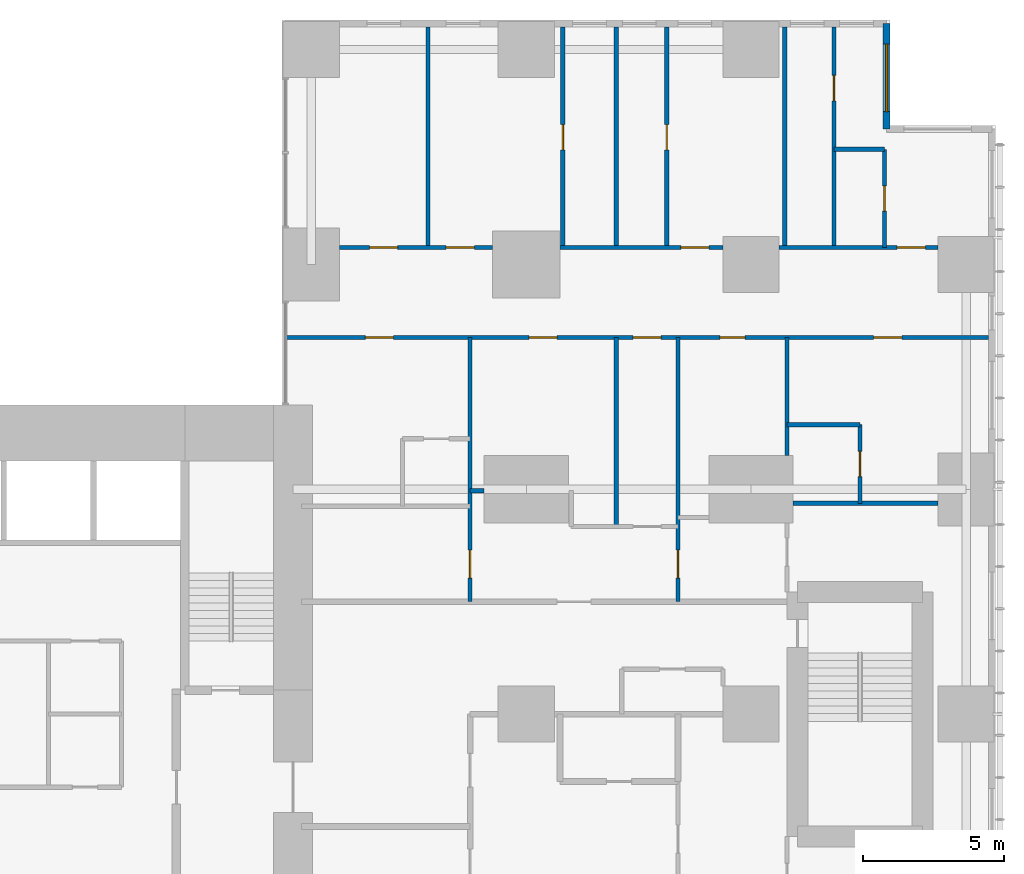
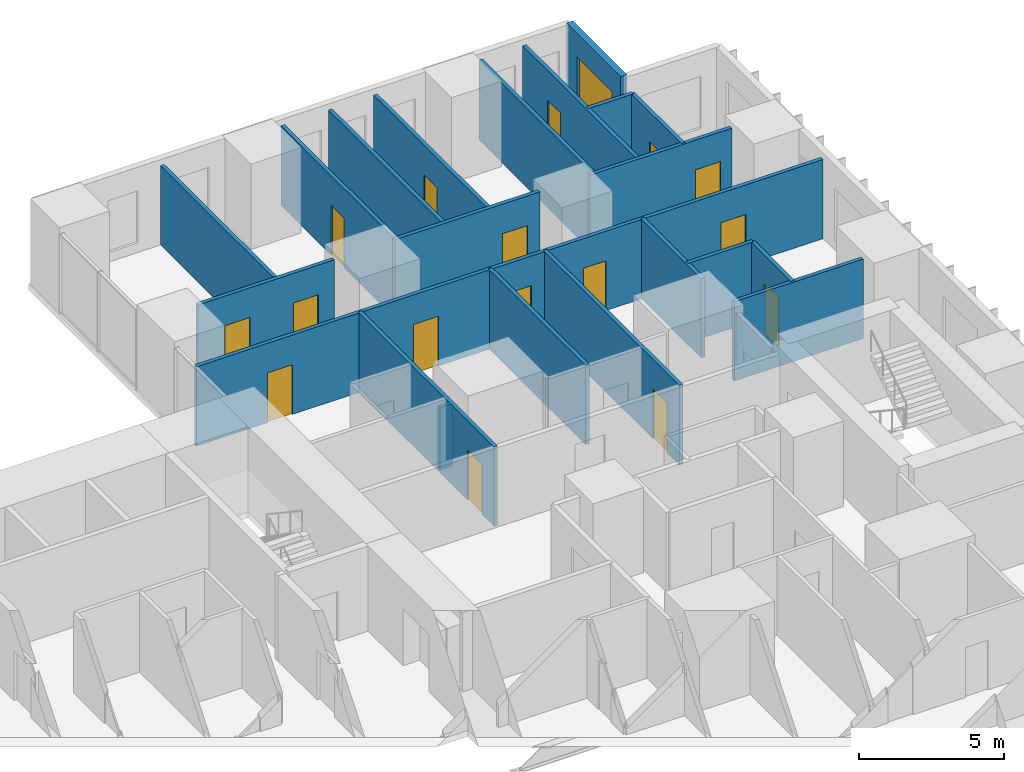
# One storey, part 18 of 21: 21 walls, 16 doors, 1 window, 17 openings.
"""IFC4 building model written with IfcOpenShell, lengths in metres."""

from ifc_helpers import new_model, si_unit, direction, frame, frame_2d, origin, place, context, subcontext, project, spatial, rectangle, extrude, material, layer, layer_set, type_object, element, fill, save


model = new_model("IFC4")

# Units and contexts
model_context = context("Model", 3, precision=1e-05, world=origin(), true_north=direction((0.0, 1.0)))
body_context = subcontext(model_context, "Body", "Model", "MODEL_VIEW")
ifc_project = project(units=[si_unit("LENGTHUNIT", "METRE"), si_unit("AREAUNIT", "SQUARE_METRE"), si_unit("VOLUMEUNIT", "CUBIC_METRE"), si_unit("PLANEANGLEUNIT", "RADIAN"), si_unit("MASSUNIT", "GRAM", prefix="KILO")], contexts=[model_context])

# Site, building, storey
site_placement = place(None, origin())
site = spatial("IfcSite", under=ifc_project, at=site_placement, CompositionType="ELEMENT")
building_placement = place(site_placement, origin())
building = spatial("IfcBuilding", under=site, at=building_placement, Name="Cleftline Residences", CompositionType="ELEMENT")
storey_placement = place(building_placement, frame((0.0, 0.0, 161.0)))
storey = spatial("IfcBuildingStorey", under=building, at=storey_placement, Name="L42", CompositionType="ELEMENT", Elevation=161.0)

# Wall, opening, window
ifc_material_1 = material(Name="Rendered reinforced concrete blockwork", Category="masonry")
ifc_layer_1 = layer(ifc_material_1, 0.25)
ifc_layer_set_1 = layer_set([ifc_layer_1], Name="EXTERNAL WALL 250")
wall_type_1 = type_object("IfcWallType", Name="EXTERNAL WALL 250", PredefinedType="SOLIDWALL", material=ifc_layer_set_1)
wall_1_placement = place(storey_placement, frame((62.824951171875, 44.824951171875, 0.0), z_axis=(0.0, 0.0, 1.0), x_axis=(0.0, 1.0, 0.0)))
wall_1 = element("IfcWall", 1, at=wall_1_placement, inside=storey, type_object=wall_type_1, Name="External wall", PredefinedType="SOLIDWALL", context=body_context, shape_type="SweptSolid", body=[
    extrude(rectangle(XDim=3.75, YDim=0.25, at=frame_2d((1.875, 0.0))), origin(), (0.0, 0.0, 1.0), 3.60009765625),
])
opening_1_placement = place(wall_1_placement, frame((0.612548828125, 0.0, 0.39990234375)))
opening_1 = element("IfcOpeningElement", 2, at=opening_1_placement, cuts=wall_1, Name="Opening W12", PredefinedType="OPENING", context=body_context, shape_type="SweptSolid", body=[
    extrude(rectangle(XDim=2.39990234375, YDim=2.199951171875, at=frame_2d((1.199951171875, 1.10009765625))), frame((0.0, 0.135009765625, 0.0), z_axis=(0.0, -1.0, 0.0), x_axis=(1.0, 0.0, 0.0)), (0.0, 0.0, 1.0), 0.27001953125),
])
ifc_material_2 = material(Name="Aluminium frame, clear double glazing", Category="aluminium")
window_type = type_object("IfcWindowType", Name="WINDOW 2400X2200", PartitioningType="DOUBLE_PANEL_VERTICAL", PredefinedType="WINDOW", material=ifc_material_2)
window_placement = place(opening_1_placement, origin())
window = element("IfcWindow", 3, at=window_placement, inside=storey, type_object=window_type, Name="Window", OverallHeight=2.199951171875, OverallWidth=2.39990234375, PartitioningType="SINGLE_PANEL", PredefinedType="WINDOW", context=body_context, shape_type="SweptSolid", body=[
    extrude(rectangle(XDim=2.39990234375, YDim=2.199951171875, at=frame_2d((1.199951171875, 1.10009765625))), frame((0.0, 0.030029296875, 0.0), z_axis=(0.0, -1.0, 0.0), x_axis=(1.0, 0.0, 0.0)), (0.0, 0.0, 1.0), 0.06005859375),
])
fill(opening_1, window)

# Walls
ifc_material_3 = material(Name="Gypsum board on steel studs", Category="steel")
ifc_layer_2 = layer(ifc_material_3, 0.14990234375)
ifc_layer_set_2 = layer_set([ifc_layer_2], Name="PARTITION 150")
wall_type_2 = type_object("IfcWallType", Name="PARTITION 150", PredefinedType="PARTITIONING", material=ifc_layer_set_2)
wall_2_placement = place(storey_placement, frame((59.5, 31.5, 0.0), z_axis=(0.0, 0.0, 1.0), x_axis=(1.0, 0.0, 0.0)))
element("IfcWall", 4, at=wall_2_placement, inside=storey, type_object=wall_type_2, Name="Partition", PredefinedType="PARTITIONING", context=body_context, shape_type="SweptSolid", body=[
    extrude(rectangle(XDim=5.14990234375, YDim=0.14990234375, at=frame_2d((2.574951171875, 0.0))), origin(), (0.0, 0.0, 1.0), 3.35009765625),
])
wall_3_placement = place(storey_placement, frame((48.0, 31.949951171875, 0.0), z_axis=(0.0, 0.0, 1.0), x_axis=(1.0, 0.0, 0.0)))
element("IfcWall", 5, at=wall_3_placement, inside=storey, type_object=wall_type_2, Name="Partition", PredefinedType="PARTITIONING", context=body_context, shape_type="SweptSolid", body=[
    extrude(rectangle(XDim=0.5, YDim=0.14990234375, at=frame_2d((0.25, 0.0))), origin(), (0.0, 0.0, 1.0), 2.634033203125),
])
wall_4_placement = place(storey_placement, frame((59.27490234375, 34.300048828125, 0.0), z_axis=(0.0, 0.0, 1.0), x_axis=(1.0, 0.0, 0.0)))
element("IfcWall", 6, at=wall_4_placement, inside=storey, type_object=wall_type_2, Name="Partition", PredefinedType="PARTITIONING", context=body_context, shape_type="SweptSolid", body=[
    extrude(rectangle(XDim=2.60009765625, YDim=0.14990234375, at=frame_2d((1.300048828125, 0.0))), origin(), (0.0, 0.0, 1.0), 3.35009765625),
])

# Wall, openings, doors
wall_5_placement = place(storey_placement, frame((41.43896484375, 37.39990234375, 0.0), z_axis=(0.0, 0.0, 1.0), x_axis=(1.0, 0.0, 0.0)))
wall_5 = element("IfcWall", 7, at=wall_5_placement, inside=storey, type_object=wall_type_2, Name="Partition", PredefinedType="PARTITIONING", context=body_context, shape_type="SweptSolid", body=[
    extrude(rectangle(XDim=25.010986328125, YDim=0.14990234375, at=frame_2d((12.50537109375, 0.0))), origin(), (0.0, 0.0, 1.0), 3.35009765625),
])
opening_2_placement = place(wall_5_placement, frame((12.361083984375, 0.0, 0.0)))
opening_2 = element("IfcOpeningElement", 8, at=opening_2_placement, cuts=wall_5, Name="Opening D2F30", PredefinedType="OPENING", context=body_context, shape_type="SweptSolid", body=[
    extrude(rectangle(XDim=1.0, YDim=2.10009765625, at=frame_2d((0.5, 1.050048828125))), frame((0.0, 0.0849609375, 0.0), z_axis=(0.0, -1.0, 0.0), x_axis=(1.0, 0.0, 0.0)), (0.0, 0.0, 1.0), 0.169921875),
])
opening_3_placement = place(wall_5_placement, frame((20.923583984375, 0.0, 0.0)))
opening_3 = element("IfcOpeningElement", 9, at=opening_3_placement, cuts=wall_5, Name="Opening D2F30", PredefinedType="OPENING", context=body_context, shape_type="SweptSolid", body=[
    extrude(rectangle(XDim=1.0, YDim=2.10009765625, at=frame_2d((0.5, 1.050048828125))), frame((0.0, 0.0849609375, 0.0), z_axis=(0.0, -1.0, 0.0), x_axis=(1.0, 0.0, 0.0)), (0.0, 0.0, 1.0), 0.169921875),
])
opening_4_placement = place(wall_5_placement, frame((15.448486328125, 0.0, 0.0)))
opening_4 = element("IfcOpeningElement", 10, at=opening_4_placement, cuts=wall_5, Name="Opening D1F30", PredefinedType="OPENING", context=body_context, shape_type="SweptSolid", body=[
    extrude(rectangle(XDim=0.89990234375, YDim=2.10009765625, at=frame_2d((0.449951171875, 1.050048828125))), frame((0.0, 0.0849609375, 0.0), z_axis=(0.0, -1.0, 0.0), x_axis=(1.0, 0.0, 0.0)), (0.0, 0.0, 1.0), 0.169921875),
])
opening_5_placement = place(wall_5_placement, frame((8.660888671875, 0.0, 0.0)))
opening_5 = element("IfcOpeningElement", 11, at=opening_5_placement, cuts=wall_5, Name="Opening D2F30", PredefinedType="OPENING", context=body_context, shape_type="SweptSolid", body=[
    extrude(rectangle(XDim=1.0, YDim=2.10009765625, at=frame_2d((0.5, 1.050048828125))), frame((0.0, 0.0849609375, 0.0), z_axis=(0.0, -1.0, 0.0), x_axis=(1.0, 0.0, 0.0)), (0.0, 0.0, 1.0), 0.169921875),
])
opening_6_placement = place(wall_5_placement, frame((2.8359375, 0.0, 0.0)))
opening_6 = element("IfcOpeningElement", 12, at=opening_6_placement, cuts=wall_5, Name="Opening D2F30", PredefinedType="OPENING", context=body_context, shape_type="SweptSolid", body=[
    extrude(rectangle(XDim=1.0, YDim=2.10009765625, at=frame_2d((0.5, 1.050048828125))), frame((0.0, 0.0849609375, 0.0), z_axis=(0.0, -1.0, 0.0), x_axis=(1.0, 0.0, 0.0)), (0.0, 0.0, 1.0), 0.169921875),
])
ifc_material_4 = material(Name="Timber veneer on solid core", Category="wood")
door_type_1 = type_object("IfcDoorType", Name="DOOR 1000X2100 EI 30", OperationType="SINGLE_SWING_LEFT", PredefinedType="DOOR", material=ifc_material_4)
door_1_placement = place(opening_2_placement, origin())
door_1 = element("IfcDoor", 13, at=door_1_placement, inside=storey, type_object=door_type_1, Name="Door to residence corridor (bedrooms)", OperationType="SINGLE_SWING_LEFT", OverallHeight=2.10009765625, OverallWidth=1.0, PredefinedType="DOOR", context=body_context, shape_type="SweptSolid", body=[
    extrude(rectangle(XDim=1.0, YDim=2.10009765625, at=frame_2d((0.5, 1.050048828125))), frame((0.0, 0.02490234375, 0.0), z_axis=(0.0, -1.0, 0.0), x_axis=(1.0, 0.0, 0.0)), (0.0, 0.0, 1.0), 0.050048828125),
])
fill(opening_2, door_1)
door_2_placement = place(opening_3_placement, origin())
door_2 = element("IfcDoor", 14, at=door_2_placement, inside=storey, type_object=door_type_1, Name="Door to master bedroom", OperationType="SINGLE_SWING_LEFT", OverallHeight=2.10009765625, OverallWidth=1.0, PredefinedType="DOOR", context=body_context, shape_type="SweptSolid", body=[
    extrude(rectangle(XDim=1.0, YDim=2.10009765625, at=frame_2d((0.5, 1.050048828125))), frame((0.0, 0.02490234375, 0.0), z_axis=(0.0, -1.0, 0.0), x_axis=(1.0, 0.0, 0.0)), (0.0, 0.0, 1.0), 0.050048828125),
])
fill(opening_3, door_2)
door_3_placement = place(opening_5_placement, origin())
door_3 = element("IfcDoor", 15, at=door_3_placement, inside=storey, type_object=door_type_1, Name="Door to media room", OperationType="SINGLE_SWING_RIGHT", OverallHeight=2.10009765625, OverallWidth=1.0, PredefinedType="DOOR", context=body_context, shape_type="SweptSolid", body=[
    extrude(rectangle(XDim=1.0, YDim=2.10009765625, at=frame_2d((0.5, 1.050048828125))), frame((0.0, 0.02490234375, 0.0), z_axis=(0.0, -1.0, 0.0), x_axis=(1.0, 0.0, 0.0)), (0.0, 0.0, 1.0), 0.050048828125),
])
fill(opening_5, door_3)
door_4_placement = place(opening_6_placement, origin())
door_4 = element("IfcDoor", 16, at=door_4_placement, inside=storey, type_object=door_type_1, Name="Door to staff bedroom", OperationType="SINGLE_SWING_RIGHT", OverallHeight=2.10009765625, OverallWidth=1.0, PredefinedType="DOOR", context=body_context, shape_type="SweptSolid", body=[
    extrude(rectangle(XDim=1.0, YDim=2.10009765625, at=frame_2d((0.5, 1.050048828125))), frame((0.0, 0.02490234375, 0.0), z_axis=(0.0, -1.0, 0.0), x_axis=(1.0, 0.0, 0.0)), (0.0, 0.0, 1.0), 0.050048828125),
])
fill(opening_6, door_4)
ifc_material_5 = material(Name="Timber veneer on solid core", Category="wood")
door_type_2 = type_object("IfcDoorType", Name="DOOR 900X2100 EI 30", OperationType="SINGLE_SWING_LEFT", PredefinedType="DOOR", material=ifc_material_5)
door_5_placement = place(opening_4_placement, origin())
door_5 = element("IfcDoor", 17, at=door_5_placement, inside=storey, type_object=door_type_2, Name="Door to guest bathroom", OperationType="SINGLE_SWING_LEFT", OverallHeight=2.10009765625, OverallWidth=0.89990234375, PredefinedType="DOOR", context=body_context, shape_type="SweptSolid", body=[
    extrude(rectangle(XDim=0.89990234375, YDim=2.10009765625, at=frame_2d((0.449951171875, 1.050048828125))), frame((0.0, 0.02490234375, 0.0), z_axis=(0.0, -1.0, 0.0), x_axis=(1.0, 0.0, 0.0)), (0.0, 0.0, 1.0), 0.050048828125),
])
fill(opening_4, door_5)

wall_6_placement = place(storey_placement, frame((43.35009765625, 40.60009765625, 0.0), z_axis=(0.0, 0.0, 1.0), x_axis=(1.0, 0.0, 0.0)))
wall_6 = element("IfcWall", 18, at=wall_6_placement, inside=storey, type_object=wall_type_2, Name="Partition", PredefinedType="PARTITIONING", context=body_context, shape_type="SweptSolid", body=[
    extrude(rectangle(XDim=5.449951171875, YDim=0.14990234375, at=frame_2d((2.72509765625, 0.0))), origin(), (0.0, 0.0, 1.0), 3.35009765625),
])
opening_7_placement = place(wall_6_placement, frame((3.800048828125, 0.0, 0.0)))
opening_7 = element("IfcOpeningElement", 19, at=opening_7_placement, cuts=wall_6, Name="Opening D2", PredefinedType="OPENING", context=body_context, shape_type="SweptSolid", body=[
    extrude(rectangle(XDim=1.0, YDim=2.10009765625, at=frame_2d((0.5, 1.050048828125))), frame((0.0, 0.0849609375, 0.0), z_axis=(0.0, -1.0, 0.0), x_axis=(1.0, 0.0, 0.0)), (0.0, 0.0, 1.0), 0.169921875),
])
opening_8_placement = place(wall_6_placement, frame((1.074951171875, 0.0, 0.0)))
opening_8 = element("IfcOpeningElement", 20, at=opening_8_placement, cuts=wall_6, Name="Opening D2", PredefinedType="OPENING", context=body_context, shape_type="SweptSolid", body=[
    extrude(rectangle(XDim=1.0, YDim=2.10009765625, at=frame_2d((0.5, 1.050048828125))), frame((0.0, 0.0849609375, 0.0), z_axis=(0.0, -1.0, 0.0), x_axis=(1.0, 0.0, 0.0)), (0.0, 0.0, 1.0), 0.169921875),
])
ifc_material_6 = material(Name="Timber veneer on solid core", Category="wood")
door_type_3 = type_object("IfcDoorType", Name="DOOR 1000X2100", OperationType="SINGLE_SWING_LEFT", PredefinedType="DOOR", material=ifc_material_6)
door_6_placement = place(opening_7_placement, origin())
door_6 = element("IfcDoor", 21, at=door_6_placement, inside=storey, type_object=door_type_3, Name="Door to bedroom 4", OperationType="SINGLE_SWING_LEFT", OverallHeight=2.10009765625, OverallWidth=1.0, PredefinedType="DOOR", context=body_context, shape_type="SweptSolid", body=[
    extrude(rectangle(XDim=1.0, YDim=2.10009765625, at=frame_2d((0.5, 1.050048828125))), frame((0.0, 0.02490234375, 0.0), z_axis=(0.0, -1.0, 0.0), x_axis=(1.0, 0.0, 0.0)), (0.0, 0.0, 1.0), 0.050048828125),
])
fill(opening_7, door_6)
door_7_placement = place(opening_8_placement, origin())
door_7 = element("IfcDoor", 22, at=door_7_placement, inside=storey, type_object=door_type_3, Name="Door to bedroom 4 sitting room", OperationType="SINGLE_SWING_RIGHT", OverallHeight=2.10009765625, OverallWidth=1.0, PredefinedType="DOOR", context=body_context, shape_type="SweptSolid", body=[
    extrude(rectangle(XDim=1.0, YDim=2.10009765625, at=frame_2d((0.5, 1.050048828125))), frame((0.0, 0.02490234375, 0.0), z_axis=(0.0, -1.0, 0.0), x_axis=(1.0, 0.0, 0.0)), (0.0, 0.0, 1.0), 0.050048828125),
])
fill(opening_8, door_7)

# Wall, opening, door
wall_7_placement = place(storey_placement, frame((51.199951171875, 40.60009765625, 0.0), z_axis=(0.0, 0.0, 1.0), x_axis=(1.0, 0.0, 0.0)))
wall_7 = element("IfcWall", 23, at=wall_7_placement, inside=storey, type_object=wall_type_2, Name="Partition", PredefinedType="PARTITIONING", context=body_context, shape_type="SweptSolid", body=[
    extrude(rectangle(XDim=5.800048828125, YDim=0.14990234375, at=frame_2d((2.89990234375, 0.0))), origin(), (0.0, 0.0, 1.0), 3.35009765625),
])
opening_9_placement = place(wall_7_placement, frame((4.300048828125, 0.0, 0.0)))
opening_9 = element("IfcOpeningElement", 24, at=opening_9_placement, cuts=wall_7, Name="Opening D2", PredefinedType="OPENING", context=body_context, shape_type="SweptSolid", body=[
    extrude(rectangle(XDim=1.0, YDim=2.10009765625, at=frame_2d((0.5, 1.050048828125))), frame((0.0, 0.0849609375, 0.0), z_axis=(0.0, -1.0, 0.0), x_axis=(1.0, 0.0, 0.0)), (0.0, 0.0, 1.0), 0.169921875),
])
door_8_placement = place(opening_9_placement, origin())
door_8 = element("IfcDoor", 25, at=door_8_placement, inside=storey, type_object=door_type_3, Name="Door to bedroom 3", OperationType="SINGLE_SWING_LEFT", OverallHeight=2.10009765625, OverallWidth=1.0, PredefinedType="DOOR", context=body_context, shape_type="SweptSolid", body=[
    extrude(rectangle(XDim=1.0, YDim=2.10009765625, at=frame_2d((0.5, 1.050048828125))), frame((0.0, 0.02490234375, 0.0), z_axis=(0.0, -1.0, 0.0), x_axis=(1.0, 0.0, 0.0)), (0.0, 0.0, 1.0), 0.050048828125),
])
fill(opening_9, door_8)

wall_8_placement = place(storey_placement, frame((59.0, 40.60009765625, 0.0), z_axis=(0.0, 0.0, 1.0), x_axis=(1.0, 0.0, 0.0)))
wall_8 = element("IfcWall", 26, at=wall_8_placement, inside=storey, type_object=wall_type_2, Name="Partition", PredefinedType="PARTITIONING", context=body_context, shape_type="SweptSolid", body=[
    extrude(rectangle(XDim=5.64990234375, YDim=0.14990234375, at=frame_2d((2.824951171875, 0.0))), origin(), (0.0, 0.0, 1.0), 3.35009765625),
])
opening_10_placement = place(wall_8_placement, frame((4.199951171875, 0.0, 0.0)))
opening_10 = element("IfcOpeningElement", 27, at=opening_10_placement, cuts=wall_8, Name="Opening D2", PredefinedType="OPENING", context=body_context, shape_type="SweptSolid", body=[
    extrude(rectangle(XDim=1.0, YDim=2.10009765625, at=frame_2d((0.5, 1.050048828125))), frame((0.0, 0.0849609375, 0.0), z_axis=(0.0, -1.0, 0.0), x_axis=(1.0, 0.0, 0.0)), (0.0, 0.0, 1.0), 0.169921875),
])
door_9_placement = place(opening_10_placement, origin())
door_9 = element("IfcDoor", 28, at=door_9_placement, inside=storey, type_object=door_type_3, Name="Door to bedroom 2", OperationType="SINGLE_SWING_LEFT", OverallHeight=2.10009765625, OverallWidth=1.0, PredefinedType="DOOR", context=body_context, shape_type="SweptSolid", body=[
    extrude(rectangle(XDim=1.0, YDim=2.10009765625, at=frame_2d((0.5, 1.050048828125))), frame((0.0, 0.02490234375, 0.0), z_axis=(0.0, -1.0, 0.0), x_axis=(1.0, 0.0, 0.0)), (0.0, 0.0, 1.0), 0.050048828125),
])
fill(opening_10, door_9)

# Walls
wall_9_placement = place(storey_placement, frame((60.949951171875, 44.10009765625, 0.0), z_axis=(0.0, 0.0, 1.0), x_axis=(1.0, 0.0, 0.0)))
element("IfcWall", 29, at=wall_9_placement, inside=storey, type_object=wall_type_2, Name="Partition", PredefinedType="PARTITIONING", context=body_context, shape_type="SweptSolid", body=[
    extrude(rectangle(XDim=1.800048828125, YDim=0.14990234375, at=frame_2d((0.89990234375, 0.0))), origin(), (0.0, 0.0, 1.0), 3.35009765625),
])
wall_10_placement = place(storey_placement, frame((46.5, 40.60009765625, 0.0), z_axis=(0.0, 0.0, 1.0), x_axis=(0.0, 1.0, 0.0)))
element("IfcWall", 30, at=wall_10_placement, inside=storey, type_object=wall_type_2, Name="Partition", PredefinedType="PARTITIONING", context=body_context, shape_type="SweptSolid", body=[
    extrude(rectangle(XDim=7.849853515625, YDim=0.14990234375, at=frame_2d((3.9248046875, 0.0))), origin(), (0.0, 0.0, 1.0), 3.35009765625),
])

# Wall, opening, door
wall_11_placement = place(storey_placement, frame((48.0, 28.0, 0.0), z_axis=(0.0, 0.0, 1.0), x_axis=(0.0, 1.0, 0.0)))
wall_11 = element("IfcWall", 31, at=wall_11_placement, inside=storey, type_object=wall_type_2, Name="Partition", PredefinedType="PARTITIONING", context=body_context, shape_type="SweptSolid", body=[
    extrude(rectangle(XDim=9.39990234375, YDim=0.14990234375, at=frame_2d((4.699951171875, 0.0))), origin(), (0.0, 0.0, 1.0), 3.35009765625),
])
opening_11_placement = place(wall_11_placement, frame((0.83740234375, 0.0, 0.0)))
opening_11 = element("IfcOpeningElement", 32, at=opening_11_placement, cuts=wall_11, Name="Opening D2", PredefinedType="OPENING", context=body_context, shape_type="SweptSolid", body=[
    extrude(rectangle(XDim=1.0, YDim=2.10009765625, at=frame_2d((0.5, 1.050048828125))), frame((0.0, 0.0849609375, 0.0), z_axis=(0.0, -1.0, 0.0), x_axis=(1.0, 0.0, 0.0)), (0.0, 0.0, 1.0), 0.169921875),
])
door_10_placement = place(opening_11_placement, origin())
door_10 = element("IfcDoor", 33, at=door_10_placement, inside=storey, type_object=door_type_3, Name="Door to morning kitchen", OperationType="SINGLE_SWING_RIGHT", OverallHeight=2.10009765625, OverallWidth=1.0, PredefinedType="DOOR", context=body_context, shape_type="SweptSolid", body=[
    extrude(rectangle(XDim=1.0, YDim=2.10009765625, at=frame_2d((0.5, 1.050048828125))), frame((0.0, 0.02490234375, 0.0), z_axis=(0.0, -1.0, 0.0), x_axis=(1.0, 0.0, 0.0)), (0.0, 0.0, 1.0), 0.050048828125),
])
fill(opening_11, door_10)

wall_12_placement = place(storey_placement, frame((51.300048828125, 40.60009765625, 0.0), z_axis=(0.0, 0.0, 1.0), x_axis=(0.0, 1.0, 0.0)))
wall_12 = element("IfcWall", 34, at=wall_12_placement, inside=storey, type_object=wall_type_2, Name="Partition", PredefinedType="PARTITIONING", context=body_context, shape_type="SweptSolid", body=[
    extrude(rectangle(XDim=7.849853515625, YDim=0.14990234375, at=frame_2d((3.9248046875, 0.0))), origin(), (0.0, 0.0, 1.0), 3.35009765625),
])
opening_12_placement = place(wall_12_placement, frame((3.47509765625, 0.0, 0.0)))
opening_12 = element("IfcOpeningElement", 35, at=opening_12_placement, cuts=wall_12, Name="Opening D1", PredefinedType="OPENING", context=body_context, shape_type="SweptSolid", body=[
    extrude(rectangle(XDim=0.89990234375, YDim=2.10009765625, at=frame_2d((0.449951171875, 1.050048828125))), frame((0.0, 0.0849609375, 0.0), z_axis=(0.0, -1.0, 0.0), x_axis=(1.0, 0.0, 0.0)), (0.0, 0.0, 1.0), 0.169921875),
])
ifc_material_7 = material(Name="Timber veneer on solid core", Category="wood")
door_type_4 = type_object("IfcDoorType", Name="DOOR 900X2100", OperationType="SINGLE_SWING_LEFT", PredefinedType="DOOR", material=ifc_material_7)
door_11_placement = place(opening_12_placement, origin())
door_11 = element("IfcDoor", 36, at=door_11_placement, inside=storey, type_object=door_type_4, Name="Door to en-suite bathroom 4", OperationType="SINGLE_SWING_LEFT", OverallHeight=2.10009765625, OverallWidth=0.89990234375, PredefinedType="DOOR", context=body_context, shape_type="SweptSolid", body=[
    extrude(rectangle(XDim=0.89990234375, YDim=2.10009765625, at=frame_2d((0.449951171875, 1.050048828125))), frame((0.0, 0.02490234375, 0.0), z_axis=(0.0, -1.0, 0.0), x_axis=(1.0, 0.0, 0.0)), (0.0, 0.0, 1.0), 0.050048828125),
])
fill(opening_12, door_11)

# Walls
wall_13_placement = place(storey_placement, frame((53.199951171875, 30.675048828125, 0.0), z_axis=(0.0, 0.0, 1.0), x_axis=(0.0, 1.0, 0.0)))
element("IfcWall", 37, at=wall_13_placement, inside=storey, type_object=wall_type_2, Name="Partition", PredefinedType="PARTITIONING", context=body_context, shape_type="SweptSolid", body=[
    extrude(rectangle(XDim=6.724853515625, YDim=0.14990234375, at=frame_2d((3.3623046875, 0.0))), origin(), (0.0, 0.0, 1.0), 3.35009765625),
])
wall_14_placement = place(storey_placement, frame((53.199951171875, 40.60009765625, 0.0), z_axis=(0.0, 0.0, 1.0), x_axis=(0.0, 1.0, 0.0)))
element("IfcWall", 38, at=wall_14_placement, inside=storey, type_object=wall_type_2, Name="Partition", PredefinedType="PARTITIONING", context=body_context, shape_type="SweptSolid", body=[
    extrude(rectangle(XDim=7.849853515625, YDim=0.14990234375, at=frame_2d((3.9248046875, 0.0))), origin(), (0.0, 0.0, 1.0), 3.35009765625),
])

# Wall, opening, door
wall_15_placement = place(storey_placement, frame((55.0, 40.60009765625, 0.0), z_axis=(0.0, 0.0, 1.0), x_axis=(0.0, 1.0, 0.0)))
wall_15 = element("IfcWall", 39, at=wall_15_placement, inside=storey, type_object=wall_type_2, Name="Partition", PredefinedType="PARTITIONING", context=body_context, shape_type="SweptSolid", body=[
    extrude(rectangle(XDim=7.849853515625, YDim=0.14990234375, at=frame_2d((3.9248046875, 0.0))), origin(), (0.0, 0.0, 1.0), 3.35009765625),
])
opening_13_placement = place(wall_15_placement, frame((3.47509765625, 0.0, 0.0)))
opening_13 = element("IfcOpeningElement", 40, at=opening_13_placement, cuts=wall_15, Name="Opening D1", PredefinedType="OPENING", context=body_context, shape_type="SweptSolid", body=[
    extrude(rectangle(XDim=0.89990234375, YDim=2.10009765625, at=frame_2d((0.449951171875, 1.050048828125))), frame((0.0, 0.0849609375, 0.0), z_axis=(0.0, -1.0, 0.0), x_axis=(1.0, 0.0, 0.0)), (0.0, 0.0, 1.0), 0.169921875),
])
door_12_placement = place(opening_13_placement, origin())
door_12 = element("IfcDoor", 41, at=door_12_placement, inside=storey, type_object=door_type_4, Name="Door to en-suite bathroom 3", OperationType="SINGLE_SWING_LEFT", OverallHeight=2.10009765625, OverallWidth=0.89990234375, PredefinedType="DOOR", context=body_context, shape_type="SweptSolid", body=[
    extrude(rectangle(XDim=0.89990234375, YDim=2.10009765625, at=frame_2d((0.449951171875, 1.050048828125))), frame((0.0, 0.02490234375, 0.0), z_axis=(0.0, -1.0, 0.0), x_axis=(1.0, 0.0, 0.0)), (0.0, 0.0, 1.0), 0.050048828125),
])
fill(opening_13, door_12)

wall_16_placement = place(storey_placement, frame((55.39990234375, 28.0, 0.0), z_axis=(0.0, 0.0, 1.0), x_axis=(0.0, 1.0, 0.0)))
wall_16 = element("IfcWall", 42, at=wall_16_placement, inside=storey, type_object=wall_type_2, Name="Partition", PredefinedType="PARTITIONING", context=body_context, shape_type="SweptSolid", body=[
    extrude(rectangle(XDim=9.39990234375, YDim=0.14990234375, at=frame_2d((4.699951171875, 0.0))), origin(), (0.0, 0.0, 1.0), 3.35009765625),
])
opening_14_placement = place(wall_16_placement, frame((0.83740234375, 0.0, 0.0)))
opening_14 = element("IfcOpeningElement", 43, at=opening_14_placement, cuts=wall_16, Name="Opening D2F30", PredefinedType="OPENING", context=body_context, shape_type="SweptSolid", body=[
    extrude(rectangle(XDim=1.0, YDim=2.10009765625, at=frame_2d((0.5, 1.050048828125))), frame((0.0, 0.0849609375, 0.0), z_axis=(0.0, -1.0, 0.0), x_axis=(1.0, 0.0, 0.0)), (0.0, 0.0, 1.0), 0.169921875),
])
door_13_placement = place(opening_14_placement, origin())
door_13 = element("IfcDoor", 44, at=door_13_placement, inside=storey, type_object=door_type_1, Name="Door to residence lobby (service)", OperationType="SINGLE_SWING_RIGHT", OverallHeight=2.10009765625, OverallWidth=1.0, PredefinedType="DOOR", context=body_context, shape_type="SweptSolid", body=[
    extrude(rectangle(XDim=1.0, YDim=2.10009765625, at=frame_2d((0.5, 1.050048828125))), frame((0.0, 0.02490234375, 0.0), z_axis=(0.0, -1.0, 0.0), x_axis=(1.0, 0.0, 0.0)), (0.0, 0.0, 1.0), 0.050048828125),
])
fill(opening_14, door_13)

# Walls
wall_17_placement = place(storey_placement, frame((59.199951171875, 40.60009765625, 0.0), z_axis=(0.0, 0.0, 1.0), x_axis=(0.0, 1.0, 0.0)))
element("IfcWall", 45, at=wall_17_placement, inside=storey, type_object=wall_type_2, Name="Partition", PredefinedType="PARTITIONING", context=body_context, shape_type="SweptSolid", body=[
    extrude(rectangle(XDim=7.849853515625, YDim=0.14990234375, at=frame_2d((3.9248046875, 0.0))), origin(), (0.0, 0.0, 1.0), 3.35009765625),
])
wall_18_placement = place(storey_placement, frame((59.27490234375, 33.199951171875, 0.0), z_axis=(0.0, 0.0, 1.0), x_axis=(0.0, 1.0, 0.0)))
element("IfcWall", 46, at=wall_18_placement, inside=storey, type_object=wall_type_2, Name="Partition", PredefinedType="PARTITIONING", context=body_context, shape_type="SweptSolid", body=[
    extrude(rectangle(XDim=4.199951171875, YDim=0.14990234375, at=frame_2d((2.10009765625, 0.0))), origin(), (0.0, 0.0, 1.0), 3.35009765625),
])

# Wall, opening, door
wall_19_placement = place(storey_placement, frame((60.949951171875, 40.60009765625, 0.0), z_axis=(0.0, 0.0, 1.0), x_axis=(0.0, 1.0, 0.0)))
wall_19 = element("IfcWall", 47, at=wall_19_placement, inside=storey, type_object=wall_type_2, Name="Partition", PredefinedType="PARTITIONING", context=body_context, shape_type="SweptSolid", body=[
    extrude(rectangle(XDim=7.849853515625, YDim=0.14990234375, at=frame_2d((3.9248046875, 0.0))), origin(), (0.0, 0.0, 1.0), 3.35009765625),
])
opening_15_placement = place(wall_19_placement, frame((5.22509765625, 0.0, 0.0)))
opening_15 = element("IfcOpeningElement", 48, at=opening_15_placement, cuts=wall_19, Name="Opening D1", PredefinedType="OPENING", context=body_context, shape_type="SweptSolid", body=[
    extrude(rectangle(XDim=0.89990234375, YDim=2.10009765625, at=frame_2d((0.449951171875, 1.050048828125))), frame((0.0, 0.0849609375, 0.0), z_axis=(0.0, -1.0, 0.0), x_axis=(1.0, 0.0, 0.0)), (0.0, 0.0, 1.0), 0.169921875),
])
door_14_placement = place(opening_15_placement, origin())
door_14 = element("IfcDoor", 49, at=door_14_placement, inside=storey, type_object=door_type_4, Name="Door to walk-in wardrobe", OperationType="SINGLE_SWING_LEFT", OverallHeight=2.10009765625, OverallWidth=0.89990234375, PredefinedType="DOOR", context=body_context, shape_type="SweptSolid", body=[
    extrude(rectangle(XDim=0.89990234375, YDim=2.10009765625, at=frame_2d((0.449951171875, 1.050048828125))), frame((0.0, 0.02490234375, 0.0), z_axis=(0.0, -1.0, 0.0), x_axis=(1.0, 0.0, 0.0)), (0.0, 0.0, 1.0), 0.050048828125),
])
fill(opening_15, door_14)

wall_20_placement = place(storey_placement, frame((61.875, 31.5, 0.0), z_axis=(0.0, 0.0, 1.0), x_axis=(0.0, 1.0, 0.0)))
wall_20 = element("IfcWall", 50, at=wall_20_placement, inside=storey, type_object=wall_type_2, Name="Partition", PredefinedType="PARTITIONING", context=body_context, shape_type="SweptSolid", body=[
    extrude(rectangle(XDim=2.800048828125, YDim=0.14990234375, at=frame_2d((1.39990234375, 0.0))), origin(), (0.0, 0.0, 1.0), 3.35009765625),
])
opening_16_placement = place(wall_20_placement, frame((0.949951171875, 0.0, 0.0)))
opening_16 = element("IfcOpeningElement", 51, at=opening_16_placement, cuts=wall_20, Name="Opening D1", PredefinedType="OPENING", context=body_context, shape_type="SweptSolid", body=[
    extrude(rectangle(XDim=0.89990234375, YDim=2.10009765625, at=frame_2d((0.449951171875, 1.050048828125))), frame((0.0, 0.0849609375, 0.0), z_axis=(0.0, -1.0, 0.0), x_axis=(1.0, 0.0, 0.0)), (0.0, 0.0, 1.0), 0.169921875),
])
door_15_placement = place(opening_16_placement, origin())
door_15 = element("IfcDoor", 52, at=door_15_placement, inside=storey, type_object=door_type_4, Name="Door to master bathroom", OperationType="SINGLE_SWING_LEFT", OverallHeight=2.10009765625, OverallWidth=0.89990234375, PredefinedType="DOOR", context=body_context, shape_type="SweptSolid", body=[
    extrude(rectangle(XDim=0.89990234375, YDim=2.10009765625, at=frame_2d((0.449951171875, 1.050048828125))), frame((0.0, 0.02490234375, 0.0), z_axis=(0.0, -1.0, 0.0), x_axis=(1.0, 0.0, 0.0)), (0.0, 0.0, 1.0), 0.050048828125),
])
fill(opening_16, door_15)

wall_21_placement = place(storey_placement, frame((62.75, 40.60009765625, 0.0), z_axis=(0.0, 0.0, 1.0), x_axis=(0.0, 1.0, 0.0)))
wall_21 = element("IfcWall", 53, at=wall_21_placement, inside=storey, type_object=wall_type_2, Name="Partition", PredefinedType="PARTITIONING", context=body_context, shape_type="SweptSolid", body=[
    extrude(rectangle(XDim=3.5, YDim=0.14990234375, at=frame_2d((1.75, 0.0))), origin(), (0.0, 0.0, 1.0), 3.35009765625),
])
opening_17_placement = place(wall_21_placement, frame((1.300048828125, 0.0, 0.0)))
opening_17 = element("IfcOpeningElement", 54, at=opening_17_placement, cuts=wall_21, Name="Opening D1", PredefinedType="OPENING", context=body_context, shape_type="SweptSolid", body=[
    extrude(rectangle(XDim=0.89990234375, YDim=2.10009765625, at=frame_2d((0.449951171875, 1.050048828125))), frame((0.0, 0.0849609375, 0.0), z_axis=(0.0, -1.0, 0.0), x_axis=(1.0, 0.0, 0.0)), (0.0, 0.0, 1.0), 0.169921875),
])
door_16_placement = place(opening_17_placement, origin())
door_16 = element("IfcDoor", 55, at=door_16_placement, inside=storey, type_object=door_type_4, Name="Door to en-suite bathroom 2", OperationType="SINGLE_SWING_LEFT", OverallHeight=2.10009765625, OverallWidth=0.89990234375, PredefinedType="DOOR", context=body_context, shape_type="SweptSolid", body=[
    extrude(rectangle(XDim=0.89990234375, YDim=2.10009765625, at=frame_2d((0.449951171875, 1.050048828125))), frame((0.0, 0.02490234375, 0.0), z_axis=(0.0, -1.0, 0.0), x_axis=(1.0, 0.0, 0.0)), (0.0, 0.0, 1.0), 0.050048828125),
])
fill(opening_17, door_16)

save(model, "model.ifc")
